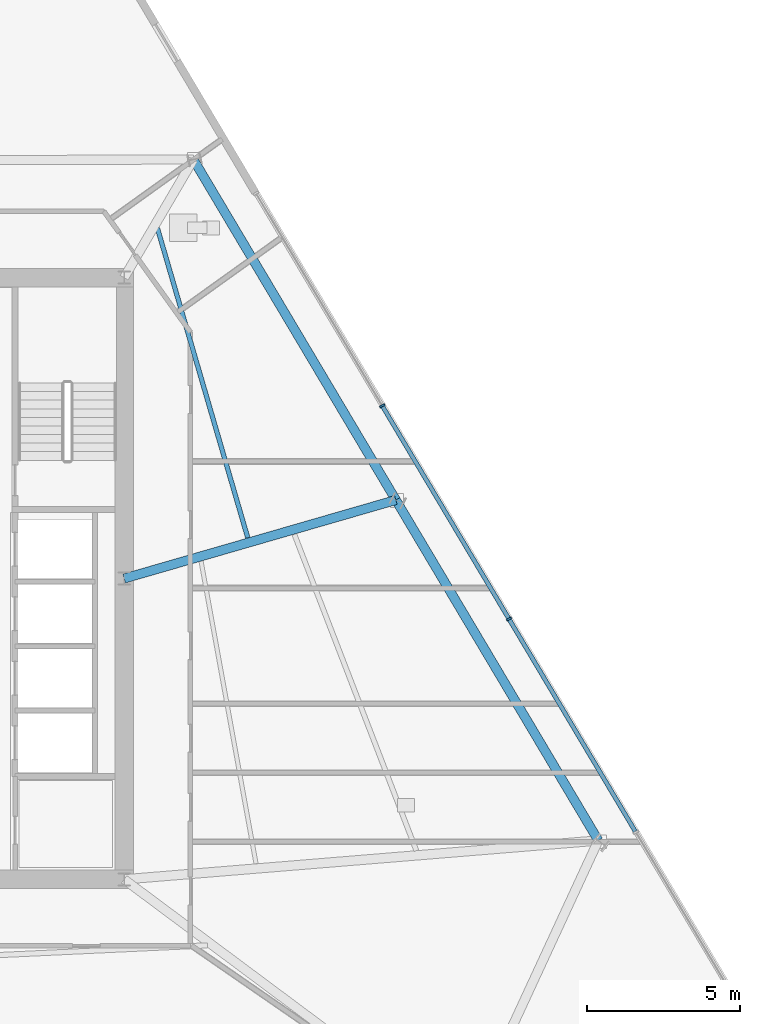
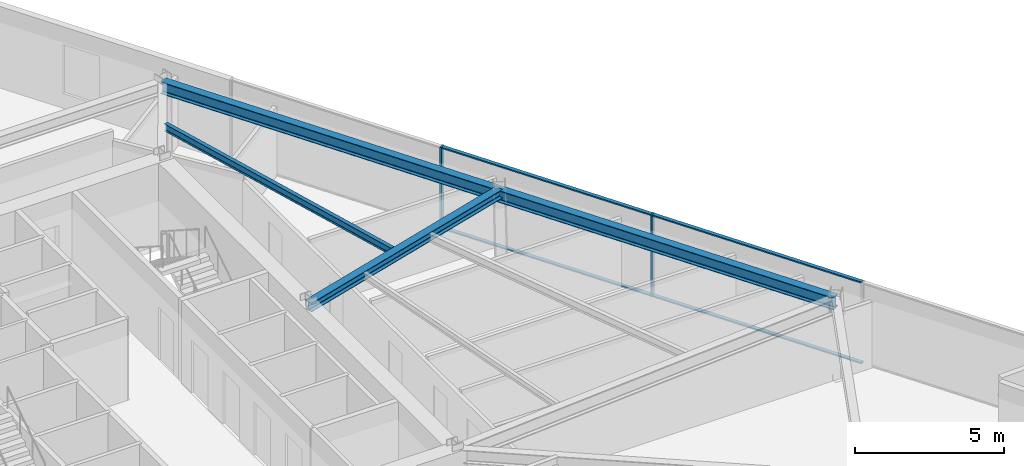
# One storey, part 5 of 15: 6 members, 4 beams, 1 element without a shape of its own.
"""IFC4 building model written with IfcOpenShell, lengths in metres."""

from ifc_helpers import new_model, si_unit, direction, frame, origin, origin_2d, place, context, subcontext, project, spatial, rectangle, i_section, extrude, material, material_profile, profile_set, type_object, element, aggregate, save


model = new_model("IFC4")

# Units and contexts
model_context = context("Model", 3, precision=1e-05, world=origin(), true_north=direction((0.0, 1.0)))
body_context = subcontext(model_context, "Body", "Model", "MODEL_VIEW")
ifc_project = project(units=[si_unit("LENGTHUNIT", "METRE"), si_unit("AREAUNIT", "SQUARE_METRE"), si_unit("VOLUMEUNIT", "CUBIC_METRE"), si_unit("PLANEANGLEUNIT", "RADIAN"), si_unit("MASSUNIT", "GRAM", prefix="KILO")], contexts=[model_context])

# Site, building, storey
site_placement = place(None, origin())
site = spatial("IfcSite", under=ifc_project, at=site_placement, CompositionType="ELEMENT")
building_placement = place(site_placement, origin())
building = spatial("IfcBuilding", under=site, at=building_placement, Name="Savorim Split Tower", CompositionType="ELEMENT")
storey_placement = place(building_placement, frame((0.0, 0.0, 104.10009765625)))
storey = spatial("IfcBuildingStorey", under=building, at=storey_placement, Name="L27", CompositionType="ELEMENT", Elevation=104.10009765625)

# Beams
ifc_material_1 = material(Name="Steel S355", Category="steel")
ifc_material_profile_1 = material_profile(ifc_material_1, i_section(OverallWidth=0.14990234375, OverallDepth=0.300048828125, WebThickness=0.007080078125, FlangeThickness=0.0107421875, FilletRadius=0.014892578125, at=origin_2d()), Name="IPE 300")
ifc_profile_set_1 = profile_set([ifc_material_profile_1], Name="Steel S355")
beam_type_1 = type_object("IfcBeamType", Name="BM-JST-IPE300", PredefinedType="JOIST", material=ifc_profile_set_1)
beam_1_placement = place(storey_placement, frame((11.726806640625, 1.72998046875, 3.199951171875), z_axis=(-0.280182002907, 0.959946897097, 0.0), x_axis=(-0.959946897097, -0.280182002907, 0.0)))
element("IfcBeam", 1, at=beam_1_placement, inside=storey, type_object=beam_type_1, Name="L27 Secondary Floor Joist JS-07", PredefinedType="JOIST", context=body_context, shape_type="SweptSolid", body=[
    extrude(i_section(OverallWidth=0.14990234375, OverallDepth=0.300048828125, WebThickness=0.007080078125, FlangeThickness=0.0107421875, FilletRadius=0.014892578125, at=origin_2d()), origin(), (0.0, 0.0, 1.0), 10.5078125),
])
ifc_material_profile_2 = material_profile(ifc_material_1, i_section(OverallWidth=0.300048828125, OverallDepth=0.360107421875, WebThickness=0.012451171875, FlangeThickness=0.0224609375, FilletRadius=0.027099609375, at=origin_2d()), Name="HEB 360")
ifc_profile_set_2 = profile_set([ifc_material_profile_2], Name="Steel S355")
beam_type_2 = type_object("IfcBeamType", Name="BM-PRI-HEB360", PredefinedType="BEAM", material=ifc_profile_set_2)
beam_2_placement = place(storey_placement, frame((16.551513671875, 2.957763671875, 3.169921875), z_axis=(-0.960692670378, -0.277614108218, 0.0), x_axis=(0.277614108218, -0.960692670378, 0.0)))
element("IfcBeam", 2, at=beam_2_placement, inside=storey, type_object=beam_type_2, Name="L27 Primary Floor Girder RG-06", PredefinedType="BEAM", context=body_context, shape_type="SweptSolid", body=[
    extrude(i_section(OverallWidth=0.300048828125, OverallDepth=0.360107421875, WebThickness=0.012451171875, FlangeThickness=0.0224609375, FilletRadius=0.027099609375, at=origin_2d()), origin(), (0.0, 0.0, 1.0), 9.213623046875),
])
ifc_material_profile_3 = material_profile(ifc_material_1, i_section(OverallWidth=0.300048828125, OverallDepth=0.489990234375, WebThickness=0.011962890625, FlangeThickness=0.02294921875, FilletRadius=0.027099609375, at=origin_2d()), Name="HEA 500")
ifc_profile_set_3 = profile_set([ifc_material_profile_3], Name="Steel S355")
beam_type_3 = type_object("IfcBeamType", Name="BM-SPN-HEA500", PredefinedType="SPANDREL", material=ifc_profile_set_3)
beam_3_placement = place(storey_placement, frame((23.146728515625, -8.1337890625, 3.10498046875), z_axis=(-0.511088992736, 0.859527801473, 0.0), x_axis=(-0.859527801473, -0.511088992736, 0.0)))
element("IfcBeam", 3, at=beam_3_placement, inside=storey, type_object=beam_type_3, Name="L27 Perimeter Spandrel Beam 5", PredefinedType="SPANDREL", context=body_context, shape_type="SweptSolid", body=[
    extrude(i_section(OverallWidth=0.300048828125, OverallDepth=0.489990234375, WebThickness=0.011962890625, FlangeThickness=0.02294921875, FilletRadius=0.027099609375, at=origin_2d()), origin(), (0.0, 0.0, 1.0), 12.904296875),
])
beam_4_placement = place(storey_placement, frame((16.551513671875, 2.957763671875, 3.10498046875), z_axis=(-0.511097304054, 0.859522859375, 0.0), x_axis=(-0.859522859375, -0.511097304054, 0.0)))
element("IfcBeam", 4, at=beam_4_placement, inside=storey, type_object=beam_type_3, Name="L27 Perimeter Spandrel Beam 6", PredefinedType="SPANDREL", context=body_context, shape_type="SweptSolid", body=[
    extrude(i_section(OverallWidth=0.300048828125, OverallDepth=0.489990234375, WebThickness=0.011962890625, FlangeThickness=0.02294921875, FilletRadius=0.027099609375, at=origin_2d()), origin(), (0.0, 0.0, 1.0), 12.904052734375),
])

# Curtain wall, members
ifc_material_2 = material(Name="Dark Ceramic-Fritted Insulated Glass", Category="glass")
curtain_wall_type = type_object("IfcCurtainWallType", Name="CW-TWR-FRIT-A", PredefinedType="NOTDEFINED", material=ifc_material_2)
curtain_wall_placement = place(storey_placement, origin())
curtain_wall = element("IfcCurtainWall", 5, at=curtain_wall_placement, inside=storey, type_object=curtain_wall_type, Name="L27 Curtain Wall CW-L27-EAST", PredefinedType="NOTDEFINED")
ifc_material_3 = material(Name="Charcoal Anodised Aluminium", Category="aluminium")
ifc_material_profile_4 = material_profile(ifc_material_3, rectangle(XDim=0.179931640625, YDim=0.06494140625, at=origin_2d()), Name="ALU-M 180x65")
ifc_profile_set_4 = profile_set([ifc_material_profile_4], Name="Charcoal Anodised Aluminium")
member_type_1 = type_object("IfcMemberType", Name="CWM-180x65", PredefinedType="MULLION", material=ifc_profile_set_4)
member_1_placement = place(storey_placement, frame((20.23681640625, -0.91845703125, 0.0), z_axis=(0.0, 0.0, 1.0), x_axis=(-0.859524537852, -0.511094481315, 0.0)))
member_1 = element("IfcMember", 6, at=member_1_placement, type_object=member_type_1, Name="CW-02 mullion 3", PredefinedType="MULLION", context=body_context, shape_type="SweptSolid", body=[
    extrude(rectangle(XDim=0.179931640625, YDim=0.06494140625, at=origin_2d()), origin(), (0.0, 0.0, 1.0), 3.349853515625),
])
member_2_placement = place(storey_placement, frame((16.106689453125, 6.027099609375, 0.0), z_axis=(0.0, 0.0, 1.0), x_axis=(-0.859524537852, -0.511094481315, 0.0)))
member_2 = element("IfcMember", 7, at=member_2_placement, type_object=member_type_1, Name="CW-02 mullion 4", PredefinedType="MULLION", context=body_context, shape_type="SweptSolid", body=[
    extrude(rectangle(XDim=0.179931640625, YDim=0.06494140625, at=origin_2d()), origin(), (0.0, 0.0, 1.0), 3.349853515625),
])
ifc_material_profile_5 = material_profile(ifc_material_3, rectangle(XDim=0.139892578125, YDim=0.054931640625, at=origin_2d()), Name="ALU-T 140x55")
ifc_profile_set_5 = profile_set([ifc_material_profile_5], Name="Charcoal Anodised Aluminium")
member_type_2 = type_object("IfcMemberType", Name="CWT-140x55", PredefinedType="USERDEFINED", material=ifc_profile_set_5)
member_3_placement = place(storey_placement, frame((24.35009765625, -7.836181640625, 0.02734375), z_axis=(-0.511074176555, 0.859536611238, 0.0), x_axis=(-0.859536611238, -0.511074176555, 0.0)))
member_3 = element("IfcMember", 8, at=member_3_placement, type_object=member_type_2, Name="CW-02 transom 2.1", ObjectType="TRANSOM", PredefinedType="USERDEFINED", context=body_context, shape_type="SweptSolid", body=[
    extrude(rectangle(XDim=0.139892578125, YDim=0.054931640625, at=origin_2d()), origin(), (0.0, 0.0, 1.0), 8.015869140625),
])
member_4_placement = place(storey_placement, frame((24.35009765625, -7.836181640625, 3.322509765625), z_axis=(-0.511074176555, 0.859536611238, 0.0), x_axis=(-0.859536611238, -0.511074176555, 0.0)))
member_4 = element("IfcMember", 9, at=member_4_placement, type_object=member_type_2, Name="CW-02 transom 2.2", ObjectType="TRANSOM", PredefinedType="USERDEFINED", context=body_context, shape_type="SweptSolid", body=[
    extrude(rectangle(XDim=0.139892578125, YDim=0.054931640625, at=origin_2d()), origin(), (0.0, 0.0, 1.0), 8.015869140625),
])
member_5_placement = place(storey_placement, frame((20.22021484375, -0.890380859375, 0.02734375), z_axis=(-0.511110057984, 0.859515275389, 0.0), x_axis=(-0.859515275389, -0.511110057984, 0.0)))
member_5 = element("IfcMember", 10, at=member_5_placement, type_object=member_type_2, Name="CW-02 transom 3.1", ObjectType="TRANSOM", PredefinedType="USERDEFINED", context=body_context, shape_type="SweptSolid", body=[
    extrude(rectangle(XDim=0.139892578125, YDim=0.054931640625, at=origin_2d()), origin(), (0.0, 0.0, 1.0), 8.015625),
])
member_6_placement = place(storey_placement, frame((20.22021484375, -0.890380859375, 3.322509765625), z_axis=(-0.511110057984, 0.859515275389, 0.0), x_axis=(-0.859515275389, -0.511110057984, 0.0)))
member_6 = element("IfcMember", 11, at=member_6_placement, type_object=member_type_2, Name="CW-02 transom 3.2", ObjectType="TRANSOM", PredefinedType="USERDEFINED", context=body_context, shape_type="SweptSolid", body=[
    extrude(rectangle(XDim=0.139892578125, YDim=0.054931640625, at=origin_2d()), origin(), (0.0, 0.0, 1.0), 8.015625),
])
aggregate(curtain_wall, [member_1, member_2, member_3, member_4, member_5, member_6])

save(model, "model.ifc")
